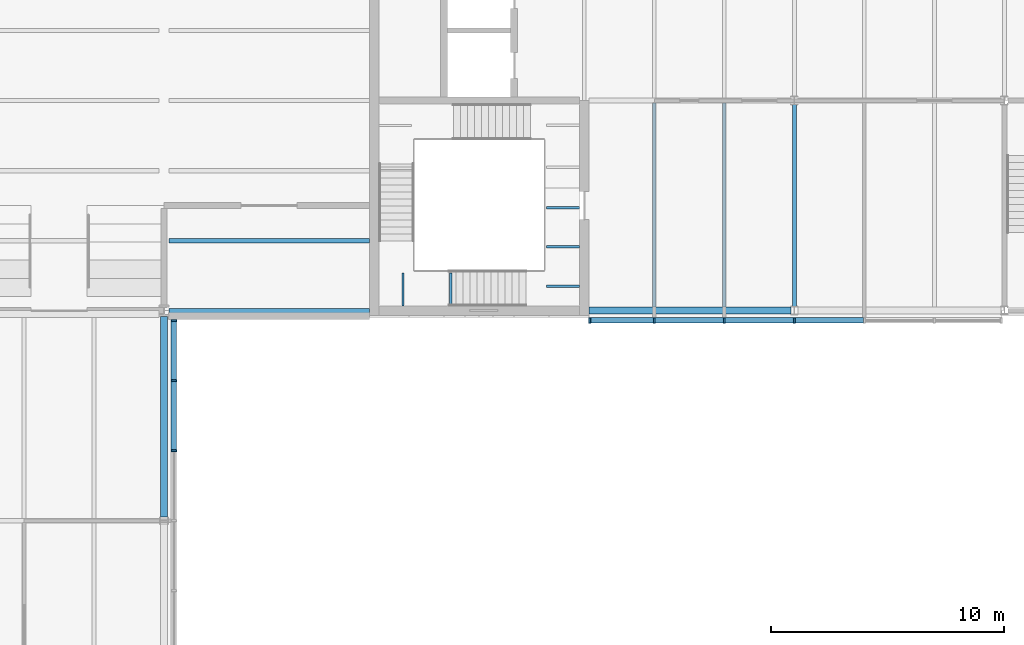
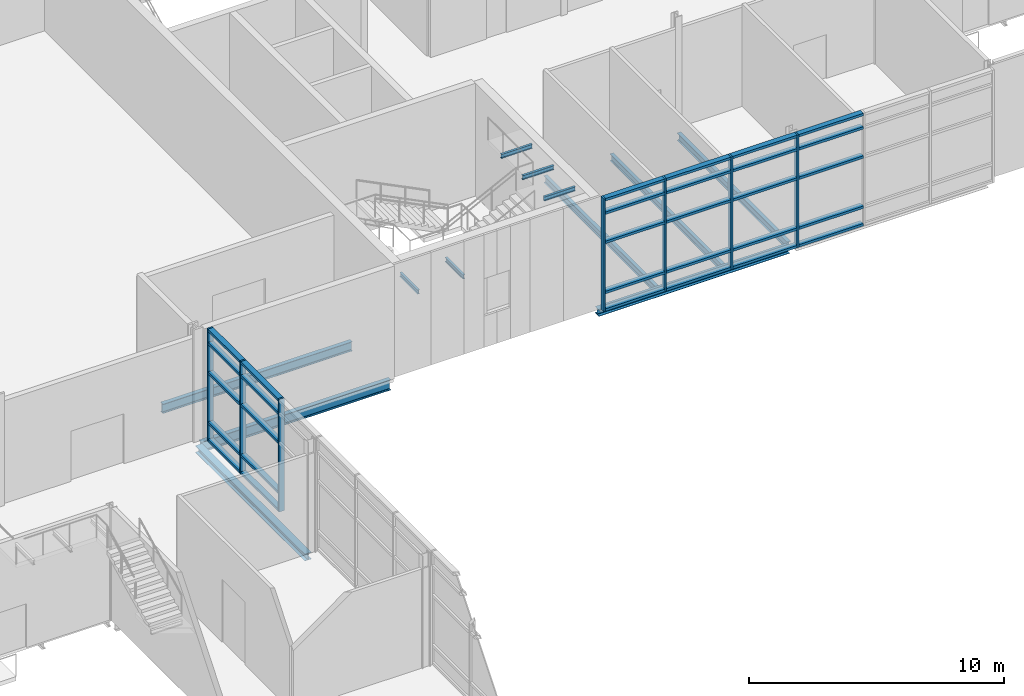
# One storey, part 19 of 52: 37 members, 12 beams, 2 elements without a shape of their own.
"""IFC4 building model written with IfcOpenShell, lengths in metres."""

from ifc_helpers import new_model, si_unit, direction, frame, origin, origin_2d, place, context, subcontext, project, spatial, rectangle, i_section, extrude, material, material_profile, profile_set, type_object, element, aggregate, save


model = new_model("IFC4")

# Units and contexts
model_context = context("Model", 3, precision=1e-05, world=origin(), true_north=direction((0.0, 1.0)))
body_context = subcontext(model_context, "Body", "Model", "MODEL_VIEW")
ifc_project = project(units=[si_unit("LENGTHUNIT", "METRE"), si_unit("AREAUNIT", "SQUARE_METRE"), si_unit("VOLUMEUNIT", "CUBIC_METRE"), si_unit("PLANEANGLEUNIT", "RADIAN"), si_unit("MASSUNIT", "GRAM", prefix="KILO")], contexts=[model_context])

# Site, building, storey
site_placement = place(None, origin())
site = spatial("IfcSite", under=ifc_project, at=site_placement, CompositionType="ELEMENT")
building_placement = place(site_placement, origin())
building = spatial("IfcBuilding", under=site, at=building_placement, Name="Azimuth Sports and Learning Centre", CompositionType="ELEMENT")
storey_placement = place(building_placement, frame((0.0, 0.0, 16.199951171875)))
storey = spatial("IfcBuildingStorey", under=building, at=storey_placement, Name="L03", CompositionType="ELEMENT", Elevation=16.199951171875)

# Beams
ifc_material_1 = material(Name="Steel S355", Category="steel")
ifc_material_profile_1 = material_profile(ifc_material_1, i_section(OverallWidth=0.10009765625, OverallDepth=0.199951171875, WebThickness=0.005615234375, FlangeThickness=0.008544921875, FilletRadius=0.011962890625, at=origin_2d()), Name="IPE 200")
ifc_profile_set_1 = profile_set([ifc_material_profile_1], Name="Steel S355")
beam_type_1 = type_object("IfcBeamType", Name="Beam IPE 200", PredefinedType="BEAM", material=ifc_profile_set_1)
for number, where, z_axis, x_axis, name in (
    (1, (109.235107421875, 90.199951171875, 3.300048828125), (0.0, 1.0, 0.0), (-1.0, 0.0, 0.0), "Landing bracket E1 L03 386"),
    (2, (111.284912109375, 90.199951171875, 3.300048828125), (0.0, 1.0, 0.0), (-1.0, 0.0, 0.0), "Landing bracket E1 L03 387"),
    (3, (116.800048828125, 91.050048828125, 5.10009765625), (-1.0, 0.0, 0.0), (0.0, -1.0, 0.0), "Landing bracket E1 L03 388"),
    (4, (116.800048828125, 92.72998046875, 5.10009765625), (-1.0, 0.0, 0.0), (0.0, -1.0, 0.0), "Landing bracket E1 L03 389"),
    (5, (116.800048828125, 94.409912109375, 5.10009765625), (-1.0, 0.0, 0.0), (0.0, -1.0, 0.0), "Landing bracket E1 L03 390"),
):
    element("IfcBeam", number, at=place(storey_placement, frame(where, z_axis=z_axis, x_axis=x_axis)), inside=storey, type_object=beam_type_1, Name=name, PredefinedType="BEAM", context=body_context, shape_type="SweptSolid", body=[
        extrude(i_section(OverallWidth=0.10009765625, OverallDepth=0.199951171875, WebThickness=0.005615234375, FlangeThickness=0.008544921875, FilletRadius=0.011962890625, at=origin_2d()), origin(), (0.0, 0.0, 1.0), 1.41015625),
    ])
ifc_material_2 = material(Name="Steel S355", Category="steel")
ifc_material_profile_2 = material_profile(ifc_material_2, i_section(OverallWidth=0.169921875, OverallDepth=0.360107421875, WebThickness=0.008056640625, FlangeThickness=0.0126953125, FilletRadius=0.01806640625, at=origin_2d()), Name="IPE 360")
ifc_profile_set_2 = profile_set([ifc_material_profile_2], Name="Steel S355")
beam_type_2 = type_object("IfcBeamType", Name="Beam IPE 360", PredefinedType="BEAM", material=ifc_profile_set_2)
beam_1_placement = place(storey_placement, frame((126.0, 90.179931640625, -0.329833984375), z_axis=(0.0, 1.0, 0.0), x_axis=(-1.0, 0.0, 0.0)))
element("IfcBeam", 6, at=beam_1_placement, inside=storey, type_object=beam_type_2, Name="Beam L03 WE 18", PredefinedType="BEAM", context=body_context, shape_type="SweptSolid", body=[
    extrude(i_section(OverallWidth=0.169921875, OverallDepth=0.360107421875, WebThickness=0.008056640625, FlangeThickness=0.0126953125, FilletRadius=0.01806640625, at=origin_2d()), origin(), (0.0, 0.0, 1.0), 8.64013671875),
])
ifc_material_3 = material(Name="Steel S355", Category="steel")
ifc_material_profile_3 = material_profile(ifc_material_3, i_section(OverallWidth=0.199951171875, OverallDepth=0.5, WebThickness=0.01025390625, FlangeThickness=0.01611328125, FilletRadius=0.02099609375, at=origin_2d()), Name="IPE 500")
ifc_profile_set_3 = profile_set([ifc_material_profile_3], Name="Steel S355")
beam_type_3 = type_object("IfcBeamType", Name="Beam IPE 500", PredefinedType="BEAM", material=ifc_profile_set_3)
beam_2_placement = place(storey_placement, frame((99.218505859375, 90.0, -0.469970703125), z_axis=(1.0, 0.0, 0.0), x_axis=(0.0, 1.0, 0.0)))
element("IfcBeam", 7, at=beam_2_placement, inside=storey, type_object=beam_type_3, Name="Hall B floor edge girder 46", PredefinedType="BEAM", context=body_context, shape_type="SweptSolid", body=[
    extrude(i_section(OverallWidth=0.199951171875, OverallDepth=0.5, WebThickness=0.01025390625, FlangeThickness=0.01611328125, FilletRadius=0.02099609375, at=origin_2d()), origin(), (0.0, 0.0, 1.0), 8.58154296875),
])
ifc_material_4 = material(Name="Steel S355", Category="steel")
ifc_material_profile_4 = material_profile(ifc_material_4, i_section(OverallWidth=0.300048828125, OverallDepth=0.31005859375, WebThickness=0.009033203125, FlangeThickness=0.015380859375, FilletRadius=0.027099609375, at=origin_2d()), Name="HEA 320")
ifc_profile_set_4 = profile_set([ifc_material_profile_4], Name="Steel S355")
beam_type_4 = type_object("IfcBeamType", Name="Edge beam HEA 320", PredefinedType="SPANDREL", material=ifc_profile_set_4)
beam_3_placement = place(storey_placement, frame((117.199951171875, 90.0, -0.304931640625), z_axis=(1.0, 0.0, 0.0), x_axis=(0.0, 1.0, 0.0)))
element("IfcBeam", 8, at=beam_3_placement, inside=storey, type_object=beam_type_4, Name="Edge beam L03 WE 1", PredefinedType="SPANDREL", context=body_context, shape_type="SweptSolid", body=[
    extrude(i_section(OverallWidth=0.300048828125, OverallDepth=0.31005859375, WebThickness=0.009033203125, FlangeThickness=0.015380859375, FilletRadius=0.027099609375, at=origin_2d()), origin(), (0.0, 0.0, 1.0), 8.650146484375),
])
ifc_material_5 = material(Name="Steel S355", Category="steel")
ifc_material_profile_5 = material_profile(ifc_material_5, i_section(OverallWidth=0.300048828125, OverallDepth=0.330078125, WebThickness=0.009521484375, FlangeThickness=0.0166015625, FilletRadius=0.027099609375, at=origin_2d()), Name="HEA 340")
ifc_profile_set_5 = profile_set([ifc_material_profile_5], Name="Steel S355")
beam_type_5 = type_object("IfcBeamType", Name="Edge beam HEA 340", PredefinedType="SPANDREL", material=ifc_profile_set_5)
beam_4_placement = place(storey_placement, frame((99.0, 81.14990234375, -0.31494140625), z_axis=(0.0, 1.0, 0.0), x_axis=(-1.0, 0.0, 0.0)))
element("IfcBeam", 9, at=beam_4_placement, inside=storey, type_object=beam_type_5, Name="Edge beam L03 ST 47", PredefinedType="SPANDREL", context=body_context, shape_type="SweptSolid", body=[
    extrude(i_section(OverallWidth=0.300048828125, OverallDepth=0.330078125, WebThickness=0.009521484375, FlangeThickness=0.0166015625, FilletRadius=0.027099609375, at=origin_2d()), origin(), (0.0, 0.0, 1.0), 8.593017578125),
])
ifc_material_6 = material(Name="Steel S355", Category="steel")
ifc_material_profile_6 = material_profile(ifc_material_6, i_section(OverallWidth=0.159912109375, OverallDepth=0.330078125, WebThickness=0.007568359375, FlangeThickness=0.011474609375, FilletRadius=0.01806640625, at=origin_2d()), Name="IPE 330")
ifc_profile_set_6 = profile_set([ifc_material_profile_6], Name="Steel S355")
beam_type_6 = type_object("IfcBeamType", Name="Joist IPE 330", PredefinedType="JOIST", material=ifc_profile_set_6)
for number, where, z_axis, x_axis, name in (
    (10, (120.0, 90.14990234375, -0.31494140625), (0.0, 1.0, 0.0), (-1.0, 0.0, 0.0), "Joist L03 WE 27"),
    (11, (123.0, 90.14990234375, -0.31494140625), (0.0, 1.0, 0.0), (-1.0, 0.0, 0.0), "Joist L03 WE 30"),
):
    element("IfcBeam", number, at=place(storey_placement, frame(where, z_axis=z_axis, x_axis=x_axis)), inside=storey, type_object=beam_type_6, Name=name, PredefinedType="JOIST", context=body_context, shape_type="SweptSolid", body=[
        extrude(i_section(OverallWidth=0.159912109375, OverallDepth=0.330078125, WebThickness=0.007568359375, FlangeThickness=0.011474609375, FilletRadius=0.01806640625, at=origin_2d()), origin(), (0.0, 0.0, 1.0), 8.75),
    ])
ifc_material_7 = material(Name="Steel S355", Category="steel")
ifc_material_profile_7 = material_profile(ifc_material_7, i_section(OverallWidth=0.18994140625, OverallDepth=0.449951171875, WebThickness=0.009521484375, FlangeThickness=0.0146484375, FilletRadius=0.02099609375, at=origin_2d()), Name="IPE 450")
ifc_profile_set_7 = profile_set([ifc_material_profile_7], Name="Steel S355")
beam_type_7 = type_object("IfcBeamType", Name="Joist IPE 450", PredefinedType="JOIST", material=ifc_profile_set_7)
beam_5_placement = place(storey_placement, frame((99.208984375, 93.0, -0.445068359375), z_axis=(1.0, 0.0, 0.0), x_axis=(0.0, 1.0, 0.0)))
element("IfcBeam", 12, at=beam_5_placement, inside=storey, type_object=beam_type_7, Name="Hall B floor joist 38", PredefinedType="JOIST", context=body_context, shape_type="SweptSolid", body=[
    extrude(i_section(OverallWidth=0.18994140625, OverallDepth=0.449951171875, WebThickness=0.009521484375, FlangeThickness=0.0146484375, FilletRadius=0.02099609375, at=origin_2d()), origin(), (0.0, 0.0, 1.0), 8.591064453125),
])

# Curtain wall, members
ifc_material_8 = material(Name="Aluminium and glass", Category="aluminium")
curtain_wall_type_1 = type_object("IfcCurtainWallType", Name="Curtain wall podium stem 240", PredefinedType="NOTDEFINED", material=ifc_material_8)
curtain_wall_1_placement = place(storey_placement, origin())
curtain_wall_1 = element("IfcCurtainWall", 13, at=curtain_wall_1_placement, inside=storey, type_object=curtain_wall_type_1, Name="Curtain wall CW03-008", PredefinedType="NOTDEFINED")
ifc_material_9 = material(Name="Aluminium", Category="aluminium")
ifc_material_profile_8 = material_profile(ifc_material_9, rectangle(XDim=0.239990234375, YDim=0.080078125, at=origin_2d()), Name="Mullion 80x240")
ifc_profile_set_8 = profile_set([ifc_material_profile_8], Name="Aluminium")
member_type_1 = type_object("IfcMemberType", Name="Mullion 80x240", PredefinedType="MULLION", material=ifc_profile_set_8)
member_1_placement = place(storey_placement, frame((99.419921875, 84.0, 0.0), z_axis=(0.0, 0.0, 1.0), x_axis=(-1.0, 0.0, 0.0)))
member_1 = element("IfcMember", 14, at=member_1_placement, type_object=member_type_1, Name="CW03-008 mullion 8", PredefinedType="MULLION", context=body_context, shape_type="SweptSolid", body=[
    extrude(rectangle(XDim=0.239990234375, YDim=0.080078125, at=origin_2d()), origin(), (0.0, 0.0, 1.0), 5.400146484375),
])
member_2_placement = place(storey_placement, frame((99.419921875, 87.0, 0.0), z_axis=(0.0, 0.0, 1.0), x_axis=(-1.0, 0.0, 0.0)))
member_2 = element("IfcMember", 15, at=member_2_placement, type_object=member_type_1, Name="CW03-008 mullion 9", PredefinedType="MULLION", context=body_context, shape_type="SweptSolid", body=[
    extrude(rectangle(XDim=0.239990234375, YDim=0.080078125, at=origin_2d()), origin(), (0.0, 0.0, 1.0), 5.400146484375),
])
member_3_placement = place(storey_placement, frame((99.419921875, 89.570068359375, 0.0), z_axis=(0.0, 0.0, 1.0), x_axis=(-1.0, 0.0, 0.0)))
member_3 = element("IfcMember", 16, at=member_3_placement, type_object=member_type_1, Name="CW03-008 mullion 10", PredefinedType="MULLION", context=body_context, shape_type="SweptSolid", body=[
    extrude(rectangle(XDim=0.239990234375, YDim=0.080078125, at=origin_2d()), origin(), (0.0, 0.0, 1.0), 5.400146484375),
])

ifc_material_10 = material(Name="Aluminium and glass", Category="aluminium")
curtain_wall_type_2 = type_object("IfcCurtainWallType", Name="Curtain wall podium wing 240", PredefinedType="NOTDEFINED", material=ifc_material_10)
curtain_wall_2_placement = place(storey_placement, origin())
curtain_wall_2 = element("IfcCurtainWall", 17, at=curtain_wall_2_placement, inside=storey, type_object=curtain_wall_type_2, Name="Curtain wall CW03-009", PredefinedType="NOTDEFINED")
member_4_placement = place(storey_placement, frame((117.239990234375, 89.580078125, 0.0), z_axis=(0.0, 0.0, 1.0), x_axis=(0.0, 1.0, 0.0)))
member_4 = element("IfcMember", 18, at=member_4_placement, type_object=member_type_1, Name="CW03-009 mullion 1", PredefinedType="MULLION", context=body_context, shape_type="SweptSolid", body=[
    extrude(rectangle(XDim=0.239990234375, YDim=0.080078125, at=origin_2d()), origin(), (0.0, 0.0, 1.0), 5.400146484375),
])
member_5_placement = place(storey_placement, frame((120.0, 89.580078125, 0.0), z_axis=(0.0, 0.0, 1.0), x_axis=(0.0, 1.0, 0.0)))
member_5 = element("IfcMember", 19, at=member_5_placement, type_object=member_type_1, Name="CW03-009 mullion 2", PredefinedType="MULLION", context=body_context, shape_type="SweptSolid", body=[
    extrude(rectangle(XDim=0.239990234375, YDim=0.080078125, at=origin_2d()), origin(), (0.0, 0.0, 1.0), 5.400146484375),
])
member_6_placement = place(storey_placement, frame((123.0, 89.580078125, 0.0), z_axis=(0.0, 0.0, 1.0), x_axis=(0.0, 1.0, 0.0)))
member_6 = element("IfcMember", 20, at=member_6_placement, type_object=member_type_1, Name="CW03-009 mullion 3", PredefinedType="MULLION", context=body_context, shape_type="SweptSolid", body=[
    extrude(rectangle(XDim=0.239990234375, YDim=0.080078125, at=origin_2d()), origin(), (0.0, 0.0, 1.0), 5.400146484375),
])
member_7_placement = place(storey_placement, frame((126.0, 89.580078125, 0.0), z_axis=(0.0, 0.0, 1.0), x_axis=(0.0, 1.0, 0.0)))
member_7 = element("IfcMember", 21, at=member_7_placement, type_object=member_type_1, Name="CW03-009 mullion 4", PredefinedType="MULLION", context=body_context, shape_type="SweptSolid", body=[
    extrude(rectangle(XDim=0.239990234375, YDim=0.080078125, at=origin_2d()), origin(), (0.0, 0.0, 1.0), 5.400146484375),
])

# Member
ifc_material_11 = material(Name="Aluminium", Category="aluminium")
ifc_material_profile_9 = material_profile(ifc_material_11, rectangle(XDim=0.239990234375, YDim=0.1201171875, at=origin_2d()), Name="Transom 120x240")
ifc_profile_set_9 = profile_set([ifc_material_profile_9], Name="Aluminium")
member_type_2 = type_object("IfcMemberType", Name="Transom 120x240", PredefinedType="USERDEFINED", material=ifc_profile_set_9)
member_8_placement = place(storey_placement, frame((99.419921875, 84.0400390625, 0.06005859375), z_axis=(0.0, 1.0, 0.0), x_axis=(-1.0, 0.0, 0.0)))
member_8 = element("IfcMember", 22, at=member_8_placement, type_object=member_type_2, Name="CW03-008 transom 8.1", ObjectType="TRANSOM", PredefinedType="USERDEFINED", context=body_context, shape_type="SweptSolid", body=[
    extrude(rectangle(XDim=0.239990234375, YDim=0.1201171875, at=origin_2d()), origin(), (0.0, 0.0, 1.0), 2.919921875),
])

member_9_placement = place(storey_placement, frame((99.419921875, 84.0400390625, 0.900146484375), z_axis=(0.0, 1.0, 0.0), x_axis=(-1.0, 0.0, 0.0)))
member_9 = element("IfcMember", 23, at=member_9_placement, type_object=member_type_2, Name="CW03-008 transom 8.2", ObjectType="TRANSOM", PredefinedType="USERDEFINED", context=body_context, shape_type="SweptSolid", body=[
    extrude(rectangle(XDim=0.239990234375, YDim=0.1201171875, at=origin_2d()), origin(), (0.0, 0.0, 1.0), 2.919921875),
])

member_10_placement = place(storey_placement, frame((99.419921875, 84.0400390625, 3.300048828125), z_axis=(0.0, 1.0, 0.0), x_axis=(-1.0, 0.0, 0.0)))
member_10 = element("IfcMember", 24, at=member_10_placement, type_object=member_type_2, Name="CW03-008 transom 8.3", ObjectType="TRANSOM", PredefinedType="USERDEFINED", context=body_context, shape_type="SweptSolid", body=[
    extrude(rectangle(XDim=0.239990234375, YDim=0.1201171875, at=origin_2d()), origin(), (0.0, 0.0, 1.0), 2.919921875),
])

member_11_placement = place(storey_placement, frame((99.419921875, 84.0400390625, 4.699951171875), z_axis=(0.0, 1.0, 0.0), x_axis=(-1.0, 0.0, 0.0)))
member_11 = element("IfcMember", 25, at=member_11_placement, type_object=member_type_2, Name="CW03-008 transom 8.4", ObjectType="TRANSOM", PredefinedType="USERDEFINED", context=body_context, shape_type="SweptSolid", body=[
    extrude(rectangle(XDim=0.239990234375, YDim=0.1201171875, at=origin_2d()), origin(), (0.0, 0.0, 1.0), 2.919921875),
])

member_12_placement = place(storey_placement, frame((99.419921875, 84.0400390625, 5.340087890625), z_axis=(0.0, 1.0, 0.0), x_axis=(-1.0, 0.0, 0.0)))
member_12 = element("IfcMember", 26, at=member_12_placement, type_object=member_type_2, Name="CW03-008 transom 8.5", ObjectType="TRANSOM", PredefinedType="USERDEFINED", context=body_context, shape_type="SweptSolid", body=[
    extrude(rectangle(XDim=0.239990234375, YDim=0.1201171875, at=origin_2d()), origin(), (0.0, 0.0, 1.0), 2.919921875),
])

member_13_placement = place(storey_placement, frame((99.419921875, 87.0400390625, 0.06005859375), z_axis=(0.0, 1.0, 0.0), x_axis=(-1.0, 0.0, 0.0)))
member_13 = element("IfcMember", 27, at=member_13_placement, type_object=member_type_2, Name="CW03-008 transom 9.1", ObjectType="TRANSOM", PredefinedType="USERDEFINED", context=body_context, shape_type="SweptSolid", body=[
    extrude(rectangle(XDim=0.239990234375, YDim=0.1201171875, at=origin_2d()), origin(), (0.0, 0.0, 1.0), 2.489990234375),
])

member_14_placement = place(storey_placement, frame((99.419921875, 87.0400390625, 0.900146484375), z_axis=(0.0, 1.0, 0.0), x_axis=(-1.0, 0.0, 0.0)))
member_14 = element("IfcMember", 28, at=member_14_placement, type_object=member_type_2, Name="CW03-008 transom 9.2", ObjectType="TRANSOM", PredefinedType="USERDEFINED", context=body_context, shape_type="SweptSolid", body=[
    extrude(rectangle(XDim=0.239990234375, YDim=0.1201171875, at=origin_2d()), origin(), (0.0, 0.0, 1.0), 2.489990234375),
])

member_15_placement = place(storey_placement, frame((99.419921875, 87.0400390625, 3.300048828125), z_axis=(0.0, 1.0, 0.0), x_axis=(-1.0, 0.0, 0.0)))
member_15 = element("IfcMember", 29, at=member_15_placement, type_object=member_type_2, Name="CW03-008 transom 9.3", ObjectType="TRANSOM", PredefinedType="USERDEFINED", context=body_context, shape_type="SweptSolid", body=[
    extrude(rectangle(XDim=0.239990234375, YDim=0.1201171875, at=origin_2d()), origin(), (0.0, 0.0, 1.0), 2.489990234375),
])

member_16_placement = place(storey_placement, frame((99.419921875, 87.0400390625, 4.699951171875), z_axis=(0.0, 1.0, 0.0), x_axis=(-1.0, 0.0, 0.0)))
member_16 = element("IfcMember", 30, at=member_16_placement, type_object=member_type_2, Name="CW03-008 transom 9.4", ObjectType="TRANSOM", PredefinedType="USERDEFINED", context=body_context, shape_type="SweptSolid", body=[
    extrude(rectangle(XDim=0.239990234375, YDim=0.1201171875, at=origin_2d()), origin(), (0.0, 0.0, 1.0), 2.489990234375),
])

member_17_placement = place(storey_placement, frame((99.419921875, 87.0400390625, 5.340087890625), z_axis=(0.0, 1.0, 0.0), x_axis=(-1.0, 0.0, 0.0)))
member_17 = element("IfcMember", 31, at=member_17_placement, type_object=member_type_2, Name="CW03-008 transom 9.5", ObjectType="TRANSOM", PredefinedType="USERDEFINED", context=body_context, shape_type="SweptSolid", body=[
    extrude(rectangle(XDim=0.239990234375, YDim=0.1201171875, at=origin_2d()), origin(), (0.0, 0.0, 1.0), 2.489990234375),
])

aggregate(curtain_wall_1, [member_1, member_2, member_3, member_8, member_9, member_10, member_11, member_12, member_13, member_14, member_15, member_16, member_17])

member_18_placement = place(storey_placement, frame((117.280029296875, 89.580078125, 0.06005859375), z_axis=(1.0, 0.0, 0.0), x_axis=(0.0, 1.0, 0.0)))
member_18 = element("IfcMember", 32, at=member_18_placement, type_object=member_type_2, Name="CW03-009 transom 1.1", ObjectType="TRANSOM", PredefinedType="USERDEFINED", context=body_context, shape_type="SweptSolid", body=[
    extrude(rectangle(XDim=0.239990234375, YDim=0.1201171875, at=origin_2d()), origin(), (0.0, 0.0, 1.0), 2.679931640625),
])

member_19_placement = place(storey_placement, frame((117.280029296875, 89.580078125, 0.900146484375), z_axis=(1.0, 0.0, 0.0), x_axis=(0.0, 1.0, 0.0)))
member_19 = element("IfcMember", 33, at=member_19_placement, type_object=member_type_2, Name="CW03-009 transom 1.2", ObjectType="TRANSOM", PredefinedType="USERDEFINED", context=body_context, shape_type="SweptSolid", body=[
    extrude(rectangle(XDim=0.239990234375, YDim=0.1201171875, at=origin_2d()), origin(), (0.0, 0.0, 1.0), 2.679931640625),
])

member_20_placement = place(storey_placement, frame((117.280029296875, 89.580078125, 3.300048828125), z_axis=(1.0, 0.0, 0.0), x_axis=(0.0, 1.0, 0.0)))
member_20 = element("IfcMember", 34, at=member_20_placement, type_object=member_type_2, Name="CW03-009 transom 1.3", ObjectType="TRANSOM", PredefinedType="USERDEFINED", context=body_context, shape_type="SweptSolid", body=[
    extrude(rectangle(XDim=0.239990234375, YDim=0.1201171875, at=origin_2d()), origin(), (0.0, 0.0, 1.0), 2.679931640625),
])

member_21_placement = place(storey_placement, frame((117.280029296875, 89.580078125, 4.699951171875), z_axis=(1.0, 0.0, 0.0), x_axis=(0.0, 1.0, 0.0)))
member_21 = element("IfcMember", 35, at=member_21_placement, type_object=member_type_2, Name="CW03-009 transom 1.4", ObjectType="TRANSOM", PredefinedType="USERDEFINED", context=body_context, shape_type="SweptSolid", body=[
    extrude(rectangle(XDim=0.239990234375, YDim=0.1201171875, at=origin_2d()), origin(), (0.0, 0.0, 1.0), 2.679931640625),
])

member_22_placement = place(storey_placement, frame((117.280029296875, 89.580078125, 5.340087890625), z_axis=(1.0, 0.0, 0.0), x_axis=(0.0, 1.0, 0.0)))
member_22 = element("IfcMember", 36, at=member_22_placement, type_object=member_type_2, Name="CW03-009 transom 1.5", ObjectType="TRANSOM", PredefinedType="USERDEFINED", context=body_context, shape_type="SweptSolid", body=[
    extrude(rectangle(XDim=0.239990234375, YDim=0.1201171875, at=origin_2d()), origin(), (0.0, 0.0, 1.0), 2.679931640625),
])

member_23_placement = place(storey_placement, frame((120.0400390625, 89.580078125, 0.06005859375), z_axis=(1.0, 0.0, 0.0), x_axis=(0.0, 1.0, 0.0)))
member_23 = element("IfcMember", 37, at=member_23_placement, type_object=member_type_2, Name="CW03-009 transom 2.1", ObjectType="TRANSOM", PredefinedType="USERDEFINED", context=body_context, shape_type="SweptSolid", body=[
    extrude(rectangle(XDim=0.239990234375, YDim=0.1201171875, at=origin_2d()), origin(), (0.0, 0.0, 1.0), 2.919921875),
])

member_24_placement = place(storey_placement, frame((120.0400390625, 89.580078125, 0.900146484375), z_axis=(1.0, 0.0, 0.0), x_axis=(0.0, 1.0, 0.0)))
member_24 = element("IfcMember", 38, at=member_24_placement, type_object=member_type_2, Name="CW03-009 transom 2.2", ObjectType="TRANSOM", PredefinedType="USERDEFINED", context=body_context, shape_type="SweptSolid", body=[
    extrude(rectangle(XDim=0.239990234375, YDim=0.1201171875, at=origin_2d()), origin(), (0.0, 0.0, 1.0), 2.919921875),
])

member_25_placement = place(storey_placement, frame((120.0400390625, 89.580078125, 3.300048828125), z_axis=(1.0, 0.0, 0.0), x_axis=(0.0, 1.0, 0.0)))
member_25 = element("IfcMember", 39, at=member_25_placement, type_object=member_type_2, Name="CW03-009 transom 2.3", ObjectType="TRANSOM", PredefinedType="USERDEFINED", context=body_context, shape_type="SweptSolid", body=[
    extrude(rectangle(XDim=0.239990234375, YDim=0.1201171875, at=origin_2d()), origin(), (0.0, 0.0, 1.0), 2.919921875),
])

member_26_placement = place(storey_placement, frame((120.0400390625, 89.580078125, 4.699951171875), z_axis=(1.0, 0.0, 0.0), x_axis=(0.0, 1.0, 0.0)))
member_26 = element("IfcMember", 40, at=member_26_placement, type_object=member_type_2, Name="CW03-009 transom 2.4", ObjectType="TRANSOM", PredefinedType="USERDEFINED", context=body_context, shape_type="SweptSolid", body=[
    extrude(rectangle(XDim=0.239990234375, YDim=0.1201171875, at=origin_2d()), origin(), (0.0, 0.0, 1.0), 2.919921875),
])

member_27_placement = place(storey_placement, frame((120.0400390625, 89.580078125, 5.340087890625), z_axis=(1.0, 0.0, 0.0), x_axis=(0.0, 1.0, 0.0)))
member_27 = element("IfcMember", 41, at=member_27_placement, type_object=member_type_2, Name="CW03-009 transom 2.5", ObjectType="TRANSOM", PredefinedType="USERDEFINED", context=body_context, shape_type="SweptSolid", body=[
    extrude(rectangle(XDim=0.239990234375, YDim=0.1201171875, at=origin_2d()), origin(), (0.0, 0.0, 1.0), 2.919921875),
])

member_28_placement = place(storey_placement, frame((123.0400390625, 89.580078125, 0.06005859375), z_axis=(1.0, 0.0, 0.0), x_axis=(0.0, 1.0, 0.0)))
member_28 = element("IfcMember", 42, at=member_28_placement, type_object=member_type_2, Name="CW03-009 transom 3.1", ObjectType="TRANSOM", PredefinedType="USERDEFINED", context=body_context, shape_type="SweptSolid", body=[
    extrude(rectangle(XDim=0.239990234375, YDim=0.1201171875, at=origin_2d()), origin(), (0.0, 0.0, 1.0), 2.919921875),
])

member_29_placement = place(storey_placement, frame((123.0400390625, 89.580078125, 0.900146484375), z_axis=(1.0, 0.0, 0.0), x_axis=(0.0, 1.0, 0.0)))
member_29 = element("IfcMember", 43, at=member_29_placement, type_object=member_type_2, Name="CW03-009 transom 3.2", ObjectType="TRANSOM", PredefinedType="USERDEFINED", context=body_context, shape_type="SweptSolid", body=[
    extrude(rectangle(XDim=0.239990234375, YDim=0.1201171875, at=origin_2d()), origin(), (0.0, 0.0, 1.0), 2.919921875),
])

member_30_placement = place(storey_placement, frame((123.0400390625, 89.580078125, 3.300048828125), z_axis=(1.0, 0.0, 0.0), x_axis=(0.0, 1.0, 0.0)))
member_30 = element("IfcMember", 44, at=member_30_placement, type_object=member_type_2, Name="CW03-009 transom 3.3", ObjectType="TRANSOM", PredefinedType="USERDEFINED", context=body_context, shape_type="SweptSolid", body=[
    extrude(rectangle(XDim=0.239990234375, YDim=0.1201171875, at=origin_2d()), origin(), (0.0, 0.0, 1.0), 2.919921875),
])

member_31_placement = place(storey_placement, frame((123.0400390625, 89.580078125, 4.699951171875), z_axis=(1.0, 0.0, 0.0), x_axis=(0.0, 1.0, 0.0)))
member_31 = element("IfcMember", 45, at=member_31_placement, type_object=member_type_2, Name="CW03-009 transom 3.4", ObjectType="TRANSOM", PredefinedType="USERDEFINED", context=body_context, shape_type="SweptSolid", body=[
    extrude(rectangle(XDim=0.239990234375, YDim=0.1201171875, at=origin_2d()), origin(), (0.0, 0.0, 1.0), 2.919921875),
])

member_32_placement = place(storey_placement, frame((123.0400390625, 89.580078125, 5.340087890625), z_axis=(1.0, 0.0, 0.0), x_axis=(0.0, 1.0, 0.0)))
member_32 = element("IfcMember", 46, at=member_32_placement, type_object=member_type_2, Name="CW03-009 transom 3.5", ObjectType="TRANSOM", PredefinedType="USERDEFINED", context=body_context, shape_type="SweptSolid", body=[
    extrude(rectangle(XDim=0.239990234375, YDim=0.1201171875, at=origin_2d()), origin(), (0.0, 0.0, 1.0), 2.919921875),
])

member_33_placement = place(storey_placement, frame((126.0400390625, 89.580078125, 0.06005859375), z_axis=(1.0, 0.0, 0.0), x_axis=(0.0, 1.0, 0.0)))
member_33 = element("IfcMember", 47, at=member_33_placement, type_object=member_type_2, Name="CW03-009 transom 4.1", ObjectType="TRANSOM", PredefinedType="USERDEFINED", context=body_context, shape_type="SweptSolid", body=[
    extrude(rectangle(XDim=0.239990234375, YDim=0.1201171875, at=origin_2d()), origin(), (0.0, 0.0, 1.0), 2.919921875),
])

member_34_placement = place(storey_placement, frame((126.0400390625, 89.580078125, 0.900146484375), z_axis=(1.0, 0.0, 0.0), x_axis=(0.0, 1.0, 0.0)))
member_34 = element("IfcMember", 48, at=member_34_placement, type_object=member_type_2, Name="CW03-009 transom 4.2", ObjectType="TRANSOM", PredefinedType="USERDEFINED", context=body_context, shape_type="SweptSolid", body=[
    extrude(rectangle(XDim=0.239990234375, YDim=0.1201171875, at=origin_2d()), origin(), (0.0, 0.0, 1.0), 2.919921875),
])

member_35_placement = place(storey_placement, frame((126.0400390625, 89.580078125, 3.300048828125), z_axis=(1.0, 0.0, 0.0), x_axis=(0.0, 1.0, 0.0)))
member_35 = element("IfcMember", 49, at=member_35_placement, type_object=member_type_2, Name="CW03-009 transom 4.3", ObjectType="TRANSOM", PredefinedType="USERDEFINED", context=body_context, shape_type="SweptSolid", body=[
    extrude(rectangle(XDim=0.239990234375, YDim=0.1201171875, at=origin_2d()), origin(), (0.0, 0.0, 1.0), 2.919921875),
])

member_36_placement = place(storey_placement, frame((126.0400390625, 89.580078125, 4.699951171875), z_axis=(1.0, 0.0, 0.0), x_axis=(0.0, 1.0, 0.0)))
member_36 = element("IfcMember", 50, at=member_36_placement, type_object=member_type_2, Name="CW03-009 transom 4.4", ObjectType="TRANSOM", PredefinedType="USERDEFINED", context=body_context, shape_type="SweptSolid", body=[
    extrude(rectangle(XDim=0.239990234375, YDim=0.1201171875, at=origin_2d()), origin(), (0.0, 0.0, 1.0), 2.919921875),
])

member_37_placement = place(storey_placement, frame((126.0400390625, 89.580078125, 5.340087890625), z_axis=(1.0, 0.0, 0.0), x_axis=(0.0, 1.0, 0.0)))
member_37 = element("IfcMember", 51, at=member_37_placement, type_object=member_type_2, Name="CW03-009 transom 4.5", ObjectType="TRANSOM", PredefinedType="USERDEFINED", context=body_context, shape_type="SweptSolid", body=[
    extrude(rectangle(XDim=0.239990234375, YDim=0.1201171875, at=origin_2d()), origin(), (0.0, 0.0, 1.0), 2.919921875),
])

aggregate(curtain_wall_2, [member_4, member_5, member_6, member_7, member_18, member_19, member_20, member_21, member_22, member_23, member_24, member_25, member_26, member_27, member_28, member_29, member_30, member_31, member_32, member_33, member_34, member_35, member_36, member_37])

save(model, "model.ifc")
